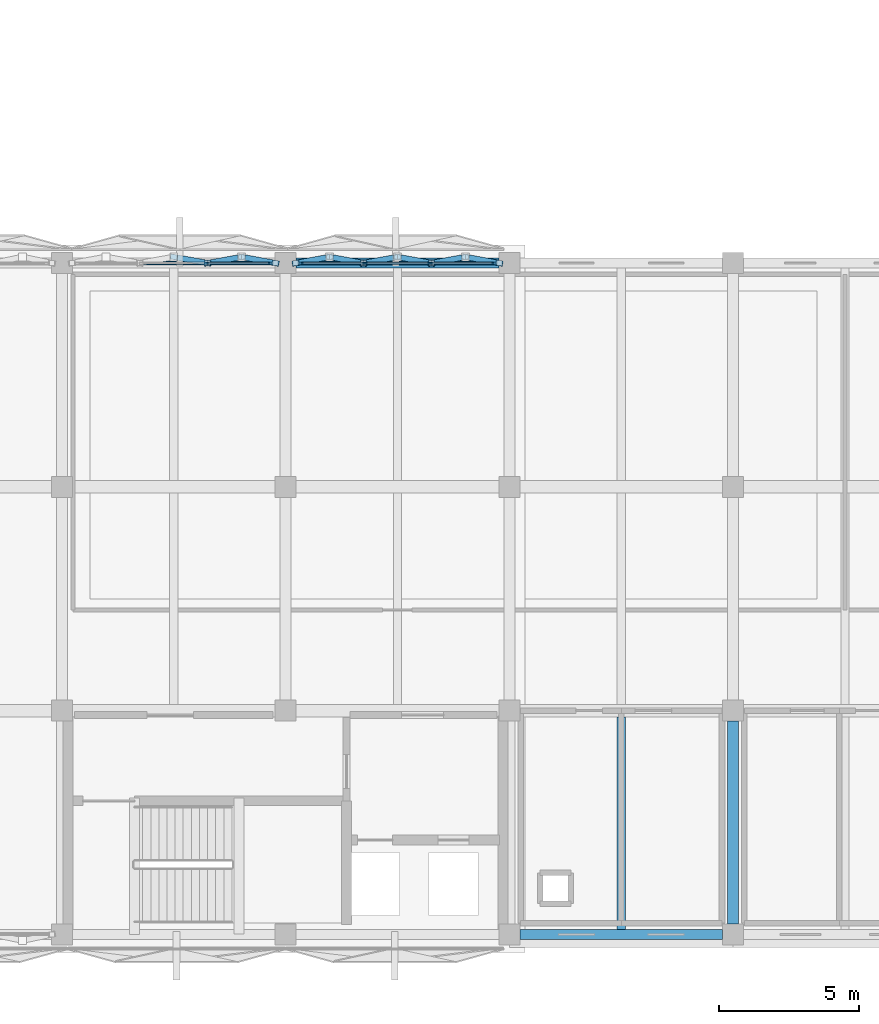
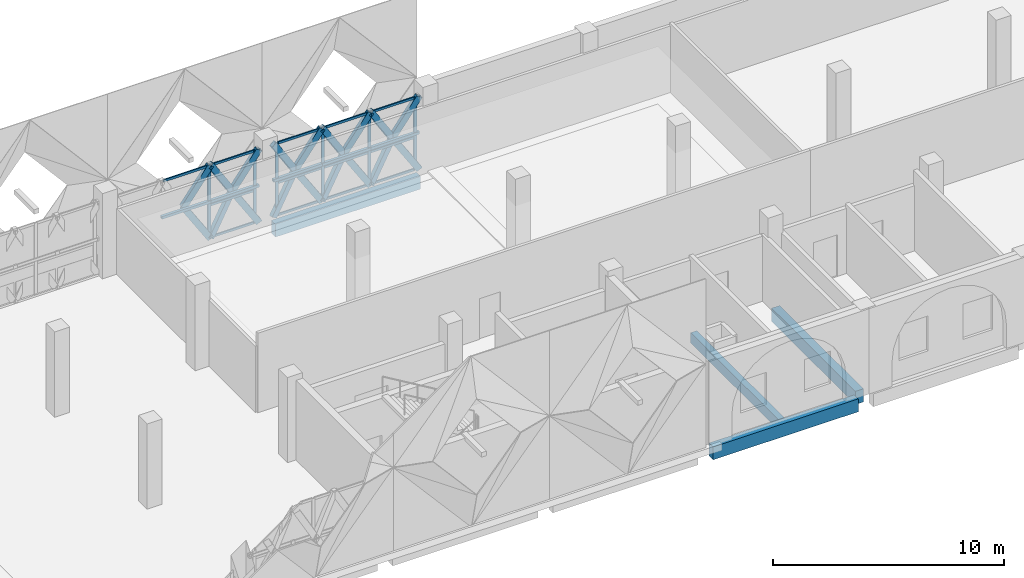
# One storey, part 16 of 53: 42 members, 4 beams, 2 elements without a shape of their own.
"""IFC4 building model written with IfcOpenShell, lengths in metres."""

from ifc_helpers import new_model, si_unit, direction, frame, origin, origin_2d, place, context, subcontext, project, spatial, rectangle, hollow_rectangle, extrude, material, layer, layer_set, material_profile, profile_set, type_object, element, aggregate, save


model = new_model("IFC4")

# Units and contexts
model_context = context("Model", 3, precision=1e-05, world=origin(), true_north=direction((0.0, 1.0)))
body_context = subcontext(model_context, "Body", "Model", "MODEL_VIEW")
ifc_project = project(units=[si_unit("LENGTHUNIT", "METRE"), si_unit("AREAUNIT", "SQUARE_METRE"), si_unit("VOLUMEUNIT", "CUBIC_METRE"), si_unit("PLANEANGLEUNIT", "RADIAN"), si_unit("MASSUNIT", "GRAM", prefix="KILO")], contexts=[model_context])

# Site, building, storey
site_placement = place(None, origin())
site = spatial("IfcSite", under=ifc_project, at=site_placement, CompositionType="ELEMENT")
building_placement = place(site_placement, origin())
building = spatial("IfcBuilding", under=site, at=building_placement, Name="Qorikala Patio Media Centre", CompositionType="ELEMENT")
storey_placement = place(building_placement, frame((0.0, 0.0, 5.39990234375)))
storey = spatial("IfcBuildingStorey", under=building, at=storey_placement, Name="L01", CompositionType="ELEMENT", Elevation=5.39990234375)

# Beam
ifc_material_1 = material(Name="Concrete C35/45", Category="concrete")
ifc_material_profile_1 = material_profile(ifc_material_1, rectangle(XDim=0.39990234375, YDim=0.699951171875, at=origin_2d()), Name="RC 400x700")
ifc_profile_set_1 = profile_set([ifc_material_profile_1], Name="Concrete C35/45")
beam_type_1 = type_object("IfcBeamType", Name="BM-G400X700", PredefinedType="BEAM", material=ifc_profile_set_1)
beam_1_placement = place(storey_placement, frame((106.0, 3.375, -0.64990234375), z_axis=(0.0, 1.0, 0.0), x_axis=(-1.0, 0.0, 0.0)))
element("IfcBeam", 1, at=beam_1_placement, inside=storey, type_object=beam_type_1, Name="L01 Grid X=106 Beam 0638", PredefinedType="BEAM", context=body_context, shape_type="SweptSolid", body=[
    extrude(rectangle(XDim=0.39990234375, YDim=0.699951171875, at=origin_2d()), origin(), (0.0, 0.0, 1.0), 7.25),
])

# Members
ifc_material_2 = material(Name="Golden Bronze Coated Steel S355", Category="steel")
ifc_material_profile_2 = material_profile(ifc_material_2, hollow_rectangle(XDim=0.139892578125, YDim=0.139892578125, WallThickness=0.006103515625, at=origin_2d()), Name="HSS140X140X6")
ifc_profile_set_2 = profile_set([ifc_material_profile_2], Name="Golden Bronze Coated Steel S355")
member_type_1 = type_object("IfcMemberType", Name="BRACE-DIA140", PredefinedType="BRACE", material=ifc_profile_set_2)
member_1_placement = place(storey_placement, frame((84.78662109375, 27.0, 1.925048828125), z_axis=(1.0, 0.0, 0.0), x_axis=(0.0, 1.0, 0.0)))
element("IfcMember", 2, at=member_1_placement, inside=storey, type_object=member_type_1, Name="L01 Diamond Fold Tie 014", PredefinedType="BRACE", context=body_context, shape_type="SweptSolid", body=[
    extrude(hollow_rectangle(XDim=0.139892578125, YDim=0.139892578125, WallThickness=0.006103515625, at=origin_2d()), origin(), (0.0, 0.0, 1.0), 2.4267578125),
])
for number, where, z_axis, x_axis, name in (
    (3, (87.21337890625, 27.0, 1.925048828125), (1.0, 0.0, 0.0), (0.0, 1.0, 0.0), "L01 Diamond Fold Tie 015"),
    (4, (90.360107421875, 27.0, 1.925048828125), (1.0, 0.0, 0.0), (0.0, 1.0, 0.0), "L01 Diamond Fold Tie 016"),
):
    element("IfcMember", number, at=place(storey_placement, frame(where, z_axis=z_axis, x_axis=x_axis)), inside=storey, type_object=member_type_1, Name=name, PredefinedType="BRACE", context=body_context, shape_type="SweptSolid", body=[
        extrude(hollow_rectangle(XDim=0.139892578125, YDim=0.139892578125, WallThickness=0.006103515625, at=origin_2d()), origin(), (0.0, 0.0, 1.0), 2.426513671875),
    ])
member_2_placement = place(storey_placement, frame((92.78662109375, 27.0, 1.925048828125), z_axis=(1.0, 0.0, 0.0), x_axis=(0.0, 1.0, 0.0)))
element("IfcMember", 5, at=member_2_placement, inside=storey, type_object=member_type_1, Name="L01 Diamond Fold Tie 017", PredefinedType="BRACE", context=body_context, shape_type="SweptSolid", body=[
    extrude(hollow_rectangle(XDim=0.139892578125, YDim=0.139892578125, WallThickness=0.006103515625, at=origin_2d()), origin(), (0.0, 0.0, 1.0), 2.4267578125),
])
member_3_placement = place(storey_placement, frame((95.21337890625, 27.0, 1.925048828125), z_axis=(1.0, 0.0, 0.0), x_axis=(0.0, 1.0, 0.0)))
element("IfcMember", 6, at=member_3_placement, inside=storey, type_object=member_type_1, Name="L01 Diamond Fold Tie 018", PredefinedType="BRACE", context=body_context, shape_type="SweptSolid", body=[
    extrude(hollow_rectangle(XDim=0.139892578125, YDim=0.139892578125, WallThickness=0.006103515625, at=origin_2d()), origin(), (0.0, 0.0, 1.0), 2.426513671875),
])

# Curtain wall, members
ifc_material_3 = material(Name="Golden Bronze Anodised Aluminium and Low-E Glass", Category="aluminium")
ifc_layer = layer(ifc_material_3, 0.159912109375)
ifc_layer_set = layer_set([ifc_layer], Name="Golden Bronze Anodised Aluminium and Low-E Glass")
curtain_wall_type = type_object("IfcCurtainWallType", Name="CW-DIA-696X385", PredefinedType="USERDEFINED", material=ifc_layer_set)
curtain_wall_1_placement = place(storey_placement, origin())
curtain_wall_1 = element("IfcCurtainWall", 7, at=curtain_wall_1_placement, inside=storey, type_object=curtain_wall_type, Name="L01 Courtyard Curtain Wall 033", ObjectType="COURTYARD CURTAIN WALL", PredefinedType="USERDEFINED")
ifc_material_4 = material(Name="Golden Bronze Anodised Aluminium", Category="aluminium")
ifc_material_profile_3 = material_profile(ifc_material_4, rectangle(XDim=0.06494140625, YDim=0.14990234375, at=origin_2d()), Name="ALU MULLION 65x150")
ifc_profile_set_3 = profile_set([ifc_material_profile_3], Name="Golden Bronze Anodised Aluminium")
member_type_2 = type_object("IfcMemberType", Name="CWM-65X150", PredefinedType="MULLION", material=ifc_profile_set_3)
member_4_placement = place(storey_placement, frame((87.159912109375, 27.0, 0.0), z_axis=(0.0, 0.0, 1.0), x_axis=(0.0, 1.0, 0.0)))
member_4 = element("IfcMember", 8, at=member_4_placement, type_object=member_type_2, Name="CWD696385 mullion 3", PredefinedType="MULLION", context=body_context, shape_type="SweptSolid", body=[
    extrude(rectangle(XDim=0.06494140625, YDim=0.14990234375, at=origin_2d()), origin(), (0.0, 0.0, 1.0), 3.85009765625),
])
member_5_placement = place(storey_placement, frame((89.447509765625, 27.0, 0.0), z_axis=(0.0, 0.0, 1.0), x_axis=(0.0, 1.0, 0.0)))
member_5 = element("IfcMember", 9, at=member_5_placement, type_object=member_type_2, Name="CWD696385 mullion 4", PredefinedType="MULLION", context=body_context, shape_type="SweptSolid", body=[
    extrude(rectangle(XDim=0.06494140625, YDim=0.14990234375, at=origin_2d()), origin(), (0.0, 0.0, 1.0), 3.85009765625),
])

curtain_wall_2_placement = place(storey_placement, origin())
curtain_wall_2 = element("IfcCurtainWall", 10, at=curtain_wall_2_placement, inside=storey, type_object=curtain_wall_type, Name="L01 Courtyard Curtain Wall 034", ObjectType="COURTYARD CURTAIN WALL", PredefinedType="USERDEFINED")
member_6_placement = place(storey_placement, frame((90.552490234375, 27.0, 0.0), z_axis=(0.0, 0.0, 1.0), x_axis=(0.0, 1.0, 0.0)))
member_6 = element("IfcMember", 11, at=member_6_placement, type_object=member_type_2, Name="CWD696385 mullion 1", PredefinedType="MULLION", context=body_context, shape_type="SweptSolid", body=[
    extrude(rectangle(XDim=0.06494140625, YDim=0.14990234375, at=origin_2d()), origin(), (0.0, 0.0, 1.0), 3.85009765625),
])
member_7_placement = place(storey_placement, frame((92.840087890625, 27.0, 0.0), z_axis=(0.0, 0.0, 1.0), x_axis=(0.0, 1.0, 0.0)))
member_7 = element("IfcMember", 12, at=member_7_placement, type_object=member_type_2, Name="CWD696385 mullion 2", PredefinedType="MULLION", context=body_context, shape_type="SweptSolid", body=[
    extrude(rectangle(XDim=0.06494140625, YDim=0.14990234375, at=origin_2d()), origin(), (0.0, 0.0, 1.0), 3.85009765625),
])
member_8_placement = place(storey_placement, frame((95.159912109375, 27.0, 0.0), z_axis=(0.0, 0.0, 1.0), x_axis=(0.0, 1.0, 0.0)))
member_8 = element("IfcMember", 13, at=member_8_placement, type_object=member_type_2, Name="CWD696385 mullion 3", PredefinedType="MULLION", context=body_context, shape_type="SweptSolid", body=[
    extrude(rectangle(XDim=0.06494140625, YDim=0.14990234375, at=origin_2d()), origin(), (0.0, 0.0, 1.0), 3.85009765625),
])
member_9_placement = place(storey_placement, frame((97.447509765625, 27.0, 0.0), z_axis=(0.0, 0.0, 1.0), x_axis=(0.0, 1.0, 0.0)))
member_9 = element("IfcMember", 14, at=member_9_placement, type_object=member_type_2, Name="CWD696385 mullion 4", PredefinedType="MULLION", context=body_context, shape_type="SweptSolid", body=[
    extrude(rectangle(XDim=0.06494140625, YDim=0.14990234375, at=origin_2d()), origin(), (0.0, 0.0, 1.0), 3.85009765625),
])

# Member
ifc_material_profile_4 = material_profile(ifc_material_4, rectangle(XDim=0.06494140625, YDim=0.1201171875, at=origin_2d()), Name="ALU TRANSOM 65x120")
ifc_profile_set_4 = profile_set([ifc_material_profile_4], Name="Golden Bronze Anodised Aluminium")
member_type_3 = type_object("IfcMemberType", Name="CWT-65X120", PredefinedType="USERDEFINED", material=ifc_profile_set_4)
member_10_placement = place(storey_placement, frame((84.87255859375, 27.0, 3.817626953125), z_axis=(1.0, 0.0, 0.0), x_axis=(0.0, 1.0, 0.0)))
member_10 = element("IfcMember", 15, at=member_10_placement, type_object=member_type_3, Name="CWD696385 transom 2.3", ObjectType="TRANSOM", PredefinedType="USERDEFINED", context=body_context, shape_type="SweptSolid", body=[
    extrude(rectangle(XDim=0.06494140625, YDim=0.1201171875, at=origin_2d()), origin(), (0.0, 0.0, 1.0), 2.2548828125),
])

member_11_placement = place(storey_placement, frame((87.1923828125, 27.0, 0.03271484375), z_axis=(1.0, 0.0, 0.0), x_axis=(0.0, 1.0, 0.0)))
member_11 = element("IfcMember", 16, at=member_11_placement, type_object=member_type_3, Name="CWD696385 transom 3.1", ObjectType="TRANSOM", PredefinedType="USERDEFINED", context=body_context, shape_type="SweptSolid", body=[
    extrude(rectangle(XDim=0.06494140625, YDim=0.1201171875, at=origin_2d()), origin(), (0.0, 0.0, 1.0), 2.22265625),
])

member_12_placement = place(storey_placement, frame((87.1923828125, 27.0, 1.732666015625), z_axis=(1.0, 0.0, 0.0), x_axis=(0.0, 1.0, 0.0)))
member_12 = element("IfcMember", 17, at=member_12_placement, type_object=member_type_3, Name="CWD696385 transom 3.2", ObjectType="TRANSOM", PredefinedType="USERDEFINED", context=body_context, shape_type="SweptSolid", body=[
    extrude(rectangle(XDim=0.06494140625, YDim=0.1201171875, at=origin_2d()), origin(), (0.0, 0.0, 1.0), 2.22265625),
])

member_13_placement = place(storey_placement, frame((87.1923828125, 27.0, 3.817626953125), z_axis=(1.0, 0.0, 0.0), x_axis=(0.0, 1.0, 0.0)))
member_13 = element("IfcMember", 18, at=member_13_placement, type_object=member_type_3, Name="CWD696385 transom 3.3", ObjectType="TRANSOM", PredefinedType="USERDEFINED", context=body_context, shape_type="SweptSolid", body=[
    extrude(rectangle(XDim=0.06494140625, YDim=0.1201171875, at=origin_2d()), origin(), (0.0, 0.0, 1.0), 2.22265625),
])

aggregate(curtain_wall_1, [member_4, member_5, member_10, member_11, member_12, member_13])

member_14_placement = place(storey_placement, frame((90.5849609375, 27.0, 0.03271484375), z_axis=(1.0, 0.0, 0.0), x_axis=(0.0, 1.0, 0.0)))
member_14 = element("IfcMember", 19, at=member_14_placement, type_object=member_type_3, Name="CWD696385 transom 1.1", ObjectType="TRANSOM", PredefinedType="USERDEFINED", context=body_context, shape_type="SweptSolid", body=[
    extrude(rectangle(XDim=0.06494140625, YDim=0.1201171875, at=origin_2d()), origin(), (0.0, 0.0, 1.0), 2.22265625),
])

member_15_placement = place(storey_placement, frame((90.5849609375, 27.0, 1.732666015625), z_axis=(1.0, 0.0, 0.0), x_axis=(0.0, 1.0, 0.0)))
member_15 = element("IfcMember", 20, at=member_15_placement, type_object=member_type_3, Name="CWD696385 transom 1.2", ObjectType="TRANSOM", PredefinedType="USERDEFINED", context=body_context, shape_type="SweptSolid", body=[
    extrude(rectangle(XDim=0.06494140625, YDim=0.1201171875, at=origin_2d()), origin(), (0.0, 0.0, 1.0), 2.22265625),
])

member_16_placement = place(storey_placement, frame((90.5849609375, 27.0, 3.817626953125), z_axis=(1.0, 0.0, 0.0), x_axis=(0.0, 1.0, 0.0)))
member_16 = element("IfcMember", 21, at=member_16_placement, type_object=member_type_3, Name="CWD696385 transom 1.3", ObjectType="TRANSOM", PredefinedType="USERDEFINED", context=body_context, shape_type="SweptSolid", body=[
    extrude(rectangle(XDim=0.06494140625, YDim=0.1201171875, at=origin_2d()), origin(), (0.0, 0.0, 1.0), 2.22265625),
])

member_17_placement = place(storey_placement, frame((92.87255859375, 27.0, 0.03271484375), z_axis=(1.0, 0.0, 0.0), x_axis=(0.0, 1.0, 0.0)))
member_17 = element("IfcMember", 22, at=member_17_placement, type_object=member_type_3, Name="CWD696385 transom 2.1", ObjectType="TRANSOM", PredefinedType="USERDEFINED", context=body_context, shape_type="SweptSolid", body=[
    extrude(rectangle(XDim=0.06494140625, YDim=0.1201171875, at=origin_2d()), origin(), (0.0, 0.0, 1.0), 2.2548828125),
])

member_18_placement = place(storey_placement, frame((92.87255859375, 27.0, 1.732666015625), z_axis=(1.0, 0.0, 0.0), x_axis=(0.0, 1.0, 0.0)))
member_18 = element("IfcMember", 23, at=member_18_placement, type_object=member_type_3, Name="CWD696385 transom 2.2", ObjectType="TRANSOM", PredefinedType="USERDEFINED", context=body_context, shape_type="SweptSolid", body=[
    extrude(rectangle(XDim=0.06494140625, YDim=0.1201171875, at=origin_2d()), origin(), (0.0, 0.0, 1.0), 2.2548828125),
])

member_19_placement = place(storey_placement, frame((92.87255859375, 27.0, 3.817626953125), z_axis=(1.0, 0.0, 0.0), x_axis=(0.0, 1.0, 0.0)))
member_19 = element("IfcMember", 24, at=member_19_placement, type_object=member_type_3, Name="CWD696385 transom 2.3", ObjectType="TRANSOM", PredefinedType="USERDEFINED", context=body_context, shape_type="SweptSolid", body=[
    extrude(rectangle(XDim=0.06494140625, YDim=0.1201171875, at=origin_2d()), origin(), (0.0, 0.0, 1.0), 2.2548828125),
])

member_20_placement = place(storey_placement, frame((95.1923828125, 27.0, 0.03271484375), z_axis=(1.0, 0.0, 0.0), x_axis=(0.0, 1.0, 0.0)))
member_20 = element("IfcMember", 25, at=member_20_placement, type_object=member_type_3, Name="CWD696385 transom 3.1", ObjectType="TRANSOM", PredefinedType="USERDEFINED", context=body_context, shape_type="SweptSolid", body=[
    extrude(rectangle(XDim=0.06494140625, YDim=0.1201171875, at=origin_2d()), origin(), (0.0, 0.0, 1.0), 2.22265625),
])

member_21_placement = place(storey_placement, frame((95.1923828125, 27.0, 1.732666015625), z_axis=(1.0, 0.0, 0.0), x_axis=(0.0, 1.0, 0.0)))
member_21 = element("IfcMember", 26, at=member_21_placement, type_object=member_type_3, Name="CWD696385 transom 3.2", ObjectType="TRANSOM", PredefinedType="USERDEFINED", context=body_context, shape_type="SweptSolid", body=[
    extrude(rectangle(XDim=0.06494140625, YDim=0.1201171875, at=origin_2d()), origin(), (0.0, 0.0, 1.0), 2.22265625),
])

member_22_placement = place(storey_placement, frame((95.1923828125, 27.0, 3.817626953125), z_axis=(1.0, 0.0, 0.0), x_axis=(0.0, 1.0, 0.0)))
member_22 = element("IfcMember", 27, at=member_22_placement, type_object=member_type_3, Name="CWD696385 transom 3.3", ObjectType="TRANSOM", PredefinedType="USERDEFINED", context=body_context, shape_type="SweptSolid", body=[
    extrude(rectangle(XDim=0.06494140625, YDim=0.1201171875, at=origin_2d()), origin(), (0.0, 0.0, 1.0), 2.22265625),
])

aggregate(curtain_wall_2, [member_6, member_7, member_8, member_9, member_14, member_15, member_16, member_17, member_18, member_19, member_20, member_21, member_22])

# Beams
ifc_material_profile_5 = material_profile(ifc_material_1, rectangle(XDim=0.300048828125, YDim=0.550048828125, at=origin_2d()), Name="RC 300x550")
ifc_profile_set_5 = profile_set([ifc_material_profile_5], Name="Concrete C35/45")
beam_type_2 = type_object("IfcBeamType", Name="JS-300X550", PredefinedType="JOIST", material=ifc_profile_set_5)
beam_2_placement = place(storey_placement, frame((102.0, 3.175048828125, -0.574951171875), z_axis=(0.0, 1.0, 0.0), x_axis=(-1.0, 0.0, 0.0)))
element("IfcBeam", 28, at=beam_2_placement, inside=storey, type_object=beam_type_2, Name="L01 Secondary Joist 0733", PredefinedType="JOIST", context=body_context, shape_type="SweptSolid", body=[
    extrude(rectangle(XDim=0.300048828125, YDim=0.550048828125, at=origin_2d()), origin(), (0.0, 0.0, 1.0), 7.599853515625),
])
ifc_material_profile_6 = material_profile(ifc_material_1, rectangle(XDim=0.35009765625, YDim=0.679931640625, at=origin_2d()), Name="RC 350x680")
ifc_profile_set_6 = profile_set([ifc_material_profile_6], Name="Concrete C35/45")
beam_type_3 = type_object("IfcBeamType", Name="SP-350X680", PredefinedType="SPANDREL", material=ifc_profile_set_6)
for number, where, z_axis, x_axis, name in (
    (29, (98.375, 3.0, -0.639892578125), (1.0, 0.0, 0.0), (0.0, 1.0, 0.0), "L01 Grid 3 Beam 0411"),
    (30, (90.375, 27.0, -0.639892578125), (1.0, 0.0, 0.0), (0.0, 1.0, 0.0), "L01 Grid 27 Beam 0468"),
):
    element("IfcBeam", number, at=place(storey_placement, frame(where, z_axis=z_axis, x_axis=x_axis)), inside=storey, type_object=beam_type_3, Name=name, PredefinedType="SPANDREL", context=body_context, shape_type="SweptSolid", body=[
        extrude(rectangle(XDim=0.35009765625, YDim=0.679931640625, at=origin_2d()), origin(), (0.0, 0.0, 1.0), 7.25),
    ])

# Members
ifc_material_profile_7 = material_profile(ifc_material_2, hollow_rectangle(XDim=0.199951171875, YDim=0.300048828125, WallThickness=0.011962890625, at=origin_2d()), Name="HSS300X200X12")
ifc_profile_set_7 = profile_set([ifc_material_profile_7], Name="Golden Bronze Coated Steel S355")
member_type_4 = type_object("IfcMemberType", Name="STRUT-DIA300", PredefinedType="STRUT", material=ifc_profile_set_7)
for number, where, z_axis, x_axis, name in (
    (31, (87.21337890625, 27.0, 0.0), (-0.530768093717, 0.095901357778, 0.842073726148), (-0.177805036072, -0.98406573416, 0.0), "L01 Diamond Foyer Fold Strut 014-DL2"),
    (32, (86.0, 27.21923828125, 1.925048828125), (0.530768093717, -0.095901357778, 0.842073726148), (0.177805036072, 0.98406573416, 0.0), "L01 Diamond Foyer Fold Strut 014-DU2"),
    (33, (87.21337890625, 27.0, 0.0), (0.530768093717, 0.095901357778, 0.842073726148), (-0.177805036072, 0.98406573416, 0.0), "L01 Diamond Foyer Fold Strut 015-DL1"),
):
    element("IfcMember", number, at=place(storey_placement, frame(where, z_axis=z_axis, x_axis=x_axis)), inside=storey, type_object=member_type_4, Name=name, PredefinedType="STRUT", context=body_context, shape_type="SweptSolid", body=[
        extrude(hollow_rectangle(XDim=0.199951171875, YDim=0.300048828125, WallThickness=0.011962890625, at=origin_2d()), origin(), (0.0, 0.0, 1.0), 2.2861328125),
    ])
member_23_placement = place(storey_placement, frame((89.639892578125, 27.0, 0.0), z_axis=(-0.530691378365, 0.095906793675, 0.842121456713), x_axis=(-0.17783968734, -0.984059472596, 0.0)))
element("IfcMember", 34, at=member_23_placement, inside=storey, type_object=member_type_4, Name="L01 Diamond Foyer Fold Strut 015-DL2", PredefinedType="STRUT", context=body_context, shape_type="SweptSolid", body=[
    extrude(hollow_rectangle(XDim=0.199951171875, YDim=0.300048828125, WallThickness=0.011962890625, at=origin_2d()), origin(), (0.0, 0.0, 1.0), 2.285888671875),
])
member_24_placement = place(storey_placement, frame((88.4267578125, 27.21923828125, 1.925048828125), z_axis=(-0.530768093717, -0.095901357778, 0.842073726148), x_axis=(0.177805036072, -0.98406573416, 0.0)))
element("IfcMember", 35, at=member_24_placement, inside=storey, type_object=member_type_4, Name="L01 Diamond Foyer Fold Strut 015-DU1", PredefinedType="STRUT", context=body_context, shape_type="SweptSolid", body=[
    extrude(hollow_rectangle(XDim=0.199951171875, YDim=0.300048828125, WallThickness=0.011962890625, at=origin_2d()), origin(), (0.0, 0.0, 1.0), 2.2861328125),
])
for number, where, z_axis, x_axis, name in (
    (36, (88.4267578125, 27.21923828125, 1.925048828125), (0.530691378365, -0.095906793675, 0.842121456713), (0.17783968734, 0.984059472596, 0.0), "L01 Diamond Foyer Fold Strut 015-DU2"),
    (37, (90.360107421875, 27.0, 0.0), (0.530691378365, 0.095906793675, 0.842121456713), (-0.17783968734, 0.984059472596, 0.0), "L01 Diamond Foyer Fold Strut 016-DL1"),
):
    element("IfcMember", number, at=place(storey_placement, frame(where, z_axis=z_axis, x_axis=x_axis)), inside=storey, type_object=member_type_4, Name=name, PredefinedType="STRUT", context=body_context, shape_type="SweptSolid", body=[
        extrude(hollow_rectangle(XDim=0.199951171875, YDim=0.300048828125, WallThickness=0.011962890625, at=origin_2d()), origin(), (0.0, 0.0, 1.0), 2.285888671875),
    ])
member_25_placement = place(storey_placement, frame((92.78662109375, 27.0, 0.0), z_axis=(-0.530768093717, 0.095901357778, 0.842073726148), x_axis=(-0.177805036072, -0.98406573416, 0.0)))
element("IfcMember", 38, at=member_25_placement, inside=storey, type_object=member_type_4, Name="L01 Diamond Foyer Fold Strut 016-DL2", PredefinedType="STRUT", context=body_context, shape_type="SweptSolid", body=[
    extrude(hollow_rectangle(XDim=0.199951171875, YDim=0.300048828125, WallThickness=0.011962890625, at=origin_2d()), origin(), (0.0, 0.0, 1.0), 2.2861328125),
])
member_26_placement = place(storey_placement, frame((91.5732421875, 27.21923828125, 1.925048828125), z_axis=(-0.530691378365, -0.095906793675, 0.842121456713), x_axis=(0.17783968734, -0.984059472596, 0.0)))
element("IfcMember", 39, at=member_26_placement, inside=storey, type_object=member_type_4, Name="L01 Diamond Foyer Fold Strut 016-DU1", PredefinedType="STRUT", context=body_context, shape_type="SweptSolid", body=[
    extrude(hollow_rectangle(XDim=0.199951171875, YDim=0.300048828125, WallThickness=0.011962890625, at=origin_2d()), origin(), (0.0, 0.0, 1.0), 2.285888671875),
])
for number, where, z_axis, x_axis, name in (
    (40, (91.5732421875, 27.21923828125, 1.925048828125), (0.530768093717, -0.095901357778, 0.842073726148), (0.177805036072, 0.98406573416, 0.0), "L01 Diamond Foyer Fold Strut 016-DU2"),
    (41, (92.78662109375, 27.0, 0.0), (0.530768093717, 0.095901357778, 0.842073726148), (-0.177805036072, 0.98406573416, 0.0), "L01 Diamond Foyer Fold Strut 017-DL1"),
    (42, (95.21337890625, 27.0, 0.0), (-0.530768093717, 0.095901357778, 0.842073726148), (-0.177805036072, -0.98406573416, 0.0), "L01 Diamond Foyer Fold Strut 017-DL2"),
    (43, (94.0, 27.21923828125, 1.925048828125), (-0.530768093717, -0.095901357778, 0.842073726148), (0.177805036072, -0.98406573416, 0.0), "L01 Diamond Foyer Fold Strut 017-DU1"),
    (44, (94.0, 27.21923828125, 1.925048828125), (0.530768093717, -0.095901357778, 0.842073726148), (0.177805036072, 0.98406573416, 0.0), "L01 Diamond Foyer Fold Strut 017-DU2"),
    (45, (95.21337890625, 27.0, 0.0), (0.530768093717, 0.095901357778, 0.842073726148), (-0.177805036072, 0.98406573416, 0.0), "L01 Diamond Foyer Fold Strut 018-DL1"),
):
    element("IfcMember", number, at=place(storey_placement, frame(where, z_axis=z_axis, x_axis=x_axis)), inside=storey, type_object=member_type_4, Name=name, PredefinedType="STRUT", context=body_context, shape_type="SweptSolid", body=[
        extrude(hollow_rectangle(XDim=0.199951171875, YDim=0.300048828125, WallThickness=0.011962890625, at=origin_2d()), origin(), (0.0, 0.0, 1.0), 2.2861328125),
    ])
member_27_placement = place(storey_placement, frame((97.639892578125, 27.0, 0.0), z_axis=(-0.530691378365, 0.095906793675, 0.842121456713), x_axis=(-0.17783968734, -0.984059472596, 0.0)))
element("IfcMember", 46, at=member_27_placement, inside=storey, type_object=member_type_4, Name="L01 Diamond Foyer Fold Strut 018-DL2", PredefinedType="STRUT", context=body_context, shape_type="SweptSolid", body=[
    extrude(hollow_rectangle(XDim=0.199951171875, YDim=0.300048828125, WallThickness=0.011962890625, at=origin_2d()), origin(), (0.0, 0.0, 1.0), 2.285888671875),
])
member_28_placement = place(storey_placement, frame((96.4267578125, 27.21923828125, 1.925048828125), z_axis=(-0.530768093717, -0.095901357778, 0.842073726148), x_axis=(0.177805036072, -0.98406573416, 0.0)))
element("IfcMember", 47, at=member_28_placement, inside=storey, type_object=member_type_4, Name="L01 Diamond Foyer Fold Strut 018-DU1", PredefinedType="STRUT", context=body_context, shape_type="SweptSolid", body=[
    extrude(hollow_rectangle(XDim=0.199951171875, YDim=0.300048828125, WallThickness=0.011962890625, at=origin_2d()), origin(), (0.0, 0.0, 1.0), 2.2861328125),
])
member_29_placement = place(storey_placement, frame((96.4267578125, 27.21923828125, 1.925048828125), z_axis=(0.530691378365, -0.095906793675, 0.842121456713), x_axis=(0.17783968734, 0.984059472596, 0.0)))
element("IfcMember", 48, at=member_29_placement, inside=storey, type_object=member_type_4, Name="L01 Diamond Foyer Fold Strut 018-DU2", PredefinedType="STRUT", context=body_context, shape_type="SweptSolid", body=[
    extrude(hollow_rectangle(XDim=0.199951171875, YDim=0.300048828125, WallThickness=0.011962890625, at=origin_2d()), origin(), (0.0, 0.0, 1.0), 2.285888671875),
])

save(model, "model.ifc")
